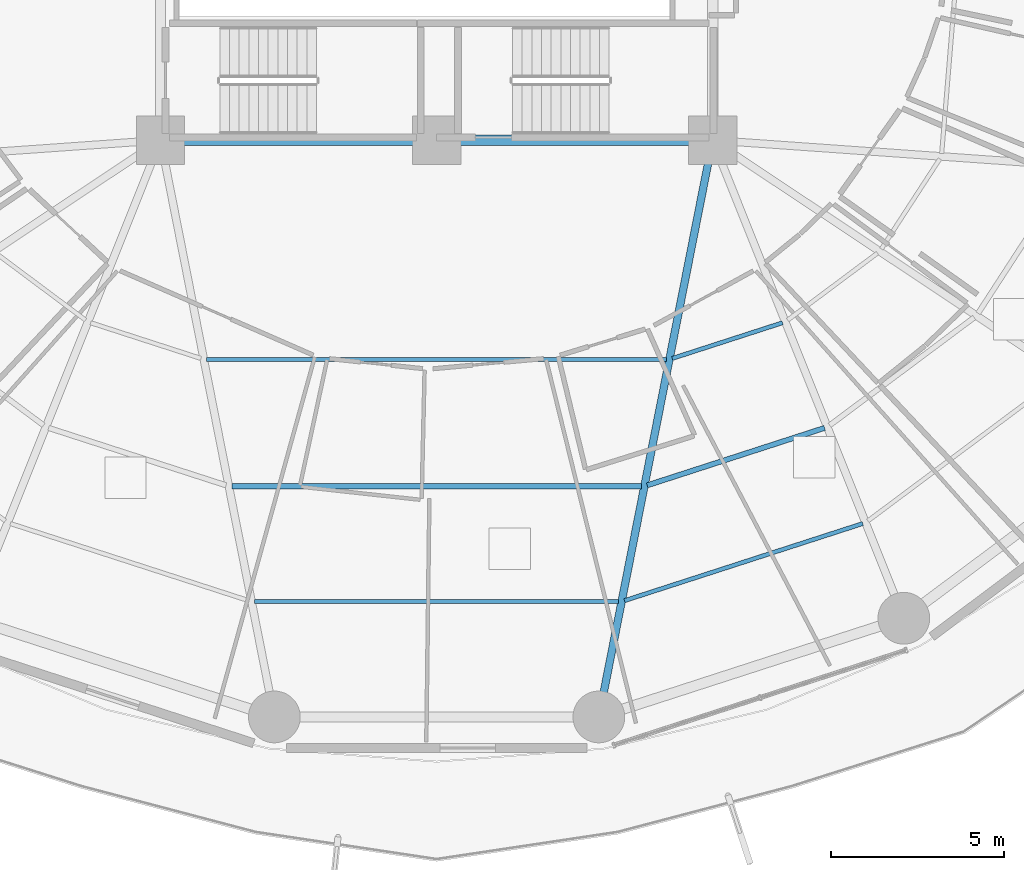
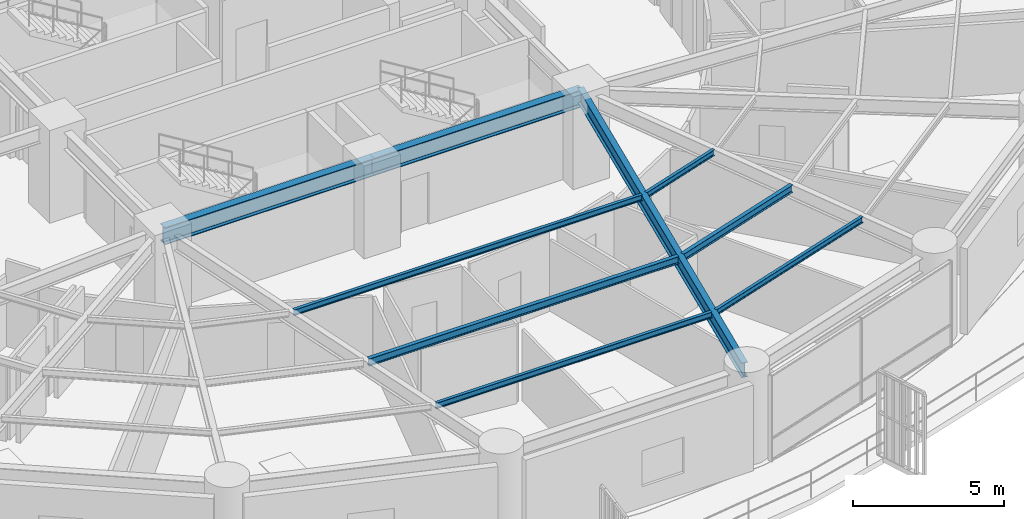
# One storey, part 8 of 35: 9 beams.
"""IFC4 building model written with IfcOpenShell, lengths in metres."""

from ifc_helpers import new_model, si_unit, direction, frame, origin, origin_2d, place, context, subcontext, project, spatial, i_section, extrude, material, material_profile, profile_set, type_object, element, save


model = new_model("IFC4")

# Units and contexts
model_context = context("Model", 3, precision=1e-05, world=origin(), true_north=direction((0.0, 1.0)))
body_context = subcontext(model_context, "Body", "Model", "MODEL_VIEW")
ifc_project = project(units=[si_unit("LENGTHUNIT", "METRE"), si_unit("AREAUNIT", "SQUARE_METRE"), si_unit("VOLUMEUNIT", "CUBIC_METRE"), si_unit("PLANEANGLEUNIT", "RADIAN"), si_unit("MASSUNIT", "GRAM", prefix="KILO")], contexts=[model_context])

# Site, building, storey
site_placement = place(None, origin())
site = spatial("IfcSite", under=ifc_project, at=site_placement, CompositionType="ELEMENT")
building_placement = place(site_placement, origin())
building = spatial("IfcBuilding", under=site, at=building_placement, Name="Kelanora Arch Commons", CompositionType="ELEMENT")
storey_placement = place(building_placement, frame((0.0, 0.0, 22.5)))
storey = spatial("IfcBuildingStorey", under=building, at=storey_placement, Name="L05", CompositionType="ELEMENT", Elevation=22.5)

# Beams
ifc_material = material(Name="Steel S355", Category="steel")
ifc_material_profile_1 = material_profile(ifc_material, i_section(OverallWidth=0.300048828125, OverallDepth=0.699951171875, WebThickness=0.01708984375, FlangeThickness=0.031982421875, FilletRadius=0.027099609375, at=origin_2d()), Name="HEB700")
ifc_profile_set_1 = profile_set([ifc_material_profile_1], Name="Steel S355")
beam_type_1 = type_object("IfcBeamType", Name="BM-CORE-HDR", PredefinedType="BEAM", material=ifc_profile_set_1)
for number, where, z_axis, x_axis, name in (
    (1, (66.0, 51.0, 3.139892578125), (1.0, 0.0, 0.0), (0.0, 1.0, 0.0), "Core Header Beam 01 L05"),
    (2, (74.0, 51.0, 3.139892578125), (1.0, 0.0, 0.0), (0.0, 1.0, 0.0), "Core Header Beam 02 L05"),
):
    element("IfcBeam", number, at=place(storey_placement, frame(where, z_axis=z_axis, x_axis=x_axis)), inside=storey, type_object=beam_type_1, Name=name, PredefinedType="BEAM", context=body_context, shape_type="SweptSolid", body=[
        extrude(i_section(OverallWidth=0.300048828125, OverallDepth=0.699951171875, WebThickness=0.01708984375, FlangeThickness=0.031982421875, FilletRadius=0.027099609375, at=origin_2d()), origin(), (0.0, 0.0, 1.0), 8.0),
    ])
ifc_material_profile_2 = material_profile(ifc_material, i_section(OverallWidth=0.14990234375, OverallDepth=0.300048828125, WebThickness=0.007080078125, FlangeThickness=0.0107421875, FilletRadius=0.014892578125, at=origin_2d()), Name="IPE300")
ifc_profile_set_2 = profile_set([ifc_material_profile_2], Name="Steel S355")
beam_type_2 = type_object("IfcBeamType", Name="BM-JST-01", PredefinedType="JOIST", material=ifc_profile_set_2)
beam_1_placement = place(storey_placement, frame((68.063720703125, 40.971435546875, 3.340087890625), z_axis=(1.0, 0.0, 0.0), x_axis=(0.0, 1.0, 0.0)))
element("IfcBeam", 3, at=beam_1_placement, inside=storey, type_object=beam_type_2, Name="Secondary Chord Joist BJB-26 L05", PredefinedType="JOIST", context=body_context, shape_type="SweptSolid", body=[
    extrude(i_section(OverallWidth=0.14990234375, OverallDepth=0.300048828125, WebThickness=0.007080078125, FlangeThickness=0.0107421875, FilletRadius=0.014892578125, at=origin_2d()), origin(), (0.0, 0.0, 1.0), 11.87255859375),
])
beam_2_placement = place(storey_placement, frame((80.102294921875, 40.997802734375, 3.340087890625), z_axis=(0.951412209627, 0.307920131482, 0.0), x_axis=(-0.307920131482, 0.951412209627, 0.0)))
element("IfcBeam", 4, at=beam_2_placement, inside=storey, type_object=beam_type_2, Name="Secondary Chord Joist BJB-28 L05", PredefinedType="JOIST", context=body_context, shape_type="SweptSolid", body=[
    extrude(i_section(OverallWidth=0.14990234375, OverallDepth=0.300048828125, WebThickness=0.007080078125, FlangeThickness=0.0107421875, FilletRadius=0.014892578125, at=origin_2d()), origin(), (0.0, 0.0, 1.0), 5.4033203125),
])
ifc_material_profile_3 = material_profile(ifc_material, i_section(OverallWidth=0.1201171875, OverallDepth=0.239990234375, WebThickness=0.006103515625, FlangeThickness=0.009765625, FilletRadius=0.014892578125, at=origin_2d()), Name="IPE240")
ifc_profile_set_3 = profile_set([ifc_material_profile_3], Name="Steel S355")
beam_type_3 = type_object("IfcBeamType", Name="BM-JST-02", PredefinedType="JOIST", material=ifc_profile_set_3)
beam_3_placement = place(storey_placement, frame((67.338134765625, 44.648681640625, 3.3701171875), z_axis=(1.0, 0.0, 0.0), x_axis=(0.0, 1.0, 0.0)))
element("IfcBeam", 5, at=beam_3_placement, inside=storey, type_object=beam_type_3, Name="Secondary Chord Joist BJA-26 L05", PredefinedType="JOIST", context=body_context, shape_type="SweptSolid", body=[
    extrude(i_section(OverallWidth=0.1201171875, OverallDepth=0.239990234375, WebThickness=0.006103515625, FlangeThickness=0.009765625, FilletRadius=0.014892578125, at=origin_2d()), origin(), (0.0, 0.0, 1.0), 13.32373046875),
])
beam_4_placement = place(storey_placement, frame((68.72314453125, 37.628662109375, 3.3701171875), z_axis=(1.0, 0.0, 0.0), x_axis=(0.0, 1.0, 0.0)))
element("IfcBeam", 6, at=beam_4_placement, inside=storey, type_object=beam_type_3, Name="Secondary Chord Joist BJC-26 L05", PredefinedType="JOIST", context=body_context, shape_type="SweptSolid", body=[
    extrude(i_section(OverallWidth=0.1201171875, OverallDepth=0.239990234375, WebThickness=0.006103515625, FlangeThickness=0.009765625, FilletRadius=0.014892578125, at=origin_2d()), origin(), (0.0, 0.0, 1.0), 10.5537109375),
])
beam_5_placement = place(storey_placement, frame((80.827880859375, 44.6748046875, 3.3701171875), z_axis=(0.951422608074, 0.30788800049, 0.0), x_axis=(-0.30788800049, 0.951422608074, 0.0)))
element("IfcBeam", 7, at=beam_5_placement, inside=storey, type_object=beam_type_3, Name="Secondary Chord Joist BJA-28 L05", PredefinedType="JOIST", context=body_context, shape_type="SweptSolid", body=[
    extrude(i_section(OverallWidth=0.1201171875, OverallDepth=0.239990234375, WebThickness=0.006103515625, FlangeThickness=0.009765625, FilletRadius=0.014892578125, at=origin_2d()), origin(), (0.0, 0.0, 1.0), 3.359619140625),
])
beam_6_placement = place(storey_placement, frame((79.44287109375, 37.65478515625, 3.3701171875), z_axis=(0.951410915705, 0.307924129418, 0.0), x_axis=(-0.307924129418, 0.951410915705, 0.0)))
element("IfcBeam", 8, at=beam_6_placement, inside=storey, type_object=beam_type_3, Name="Secondary Chord Joist BJC-28 L05", PredefinedType="JOIST", context=body_context, shape_type="SweptSolid", body=[
    extrude(i_section(OverallWidth=0.1201171875, OverallDepth=0.239990234375, WebThickness=0.006103515625, FlangeThickness=0.009765625, FilletRadius=0.014892578125, at=origin_2d()), origin(), (0.0, 0.0, 1.0), 7.260986328125),
])
ifc_material_profile_4 = material_profile(ifc_material, i_section(OverallWidth=0.219970703125, OverallDepth=0.60009765625, WebThickness=0.011962890625, FlangeThickness=0.01904296875, FilletRadius=0.02392578125, at=origin_2d()), Name="IPE600")
ifc_profile_set_4 = profile_set([ifc_material_profile_4], Name="Steel S355")
beam_type_4 = type_object("IfcBeamType", Name="BM-RAD-Z1", PredefinedType="BEAM", material=ifc_profile_set_4)
beam_7_placement = place(storey_placement, frame((82.0, 51.0, 3.18994140625), z_axis=(-0.193555256292, -0.981089375522, 0.0), x_axis=(0.981089375522, -0.193555256292, 0.0)))
element("IfcBeam", 9, at=beam_7_placement, inside=storey, type_object=beam_type_4, Name="Radial Floor Girder BR-28 L05", PredefinedType="BEAM", context=body_context, shape_type="SweptSolid", body=[
    extrude(i_section(OverallWidth=0.219970703125, OverallDepth=0.60009765625, WebThickness=0.011962890625, FlangeThickness=0.01904296875, FilletRadius=0.02392578125, at=origin_2d()), origin(), (0.0, 0.0, 1.0), 16.81640625),
])

save(model, "model.ifc")
